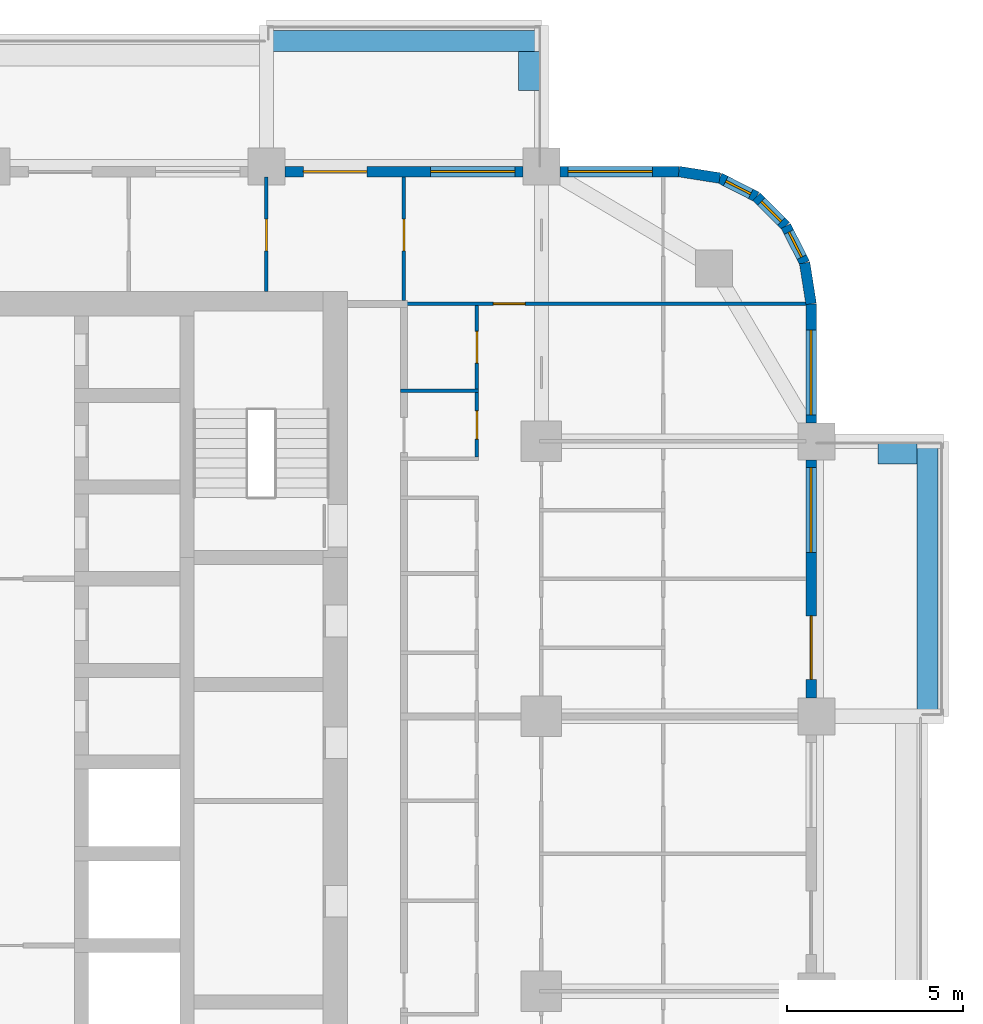
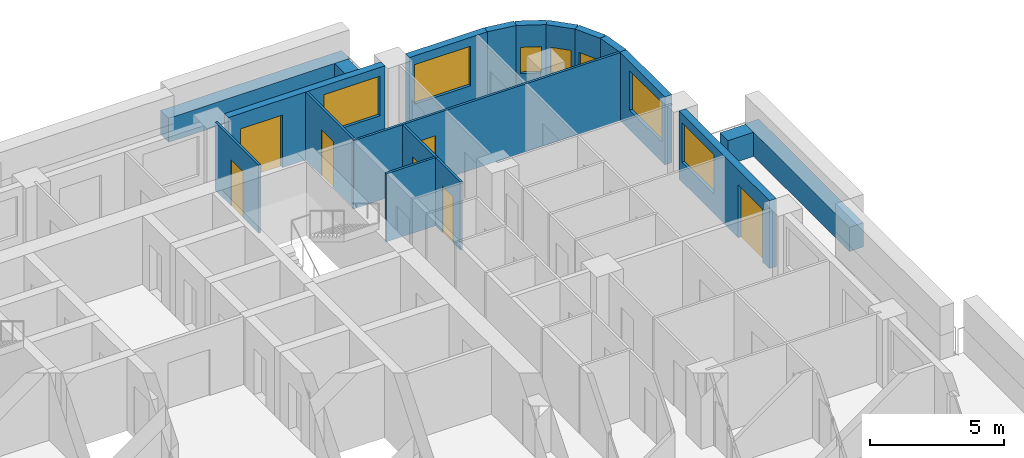
# One storey, part 13 of 17: 18 walls, 7 doors, 7 windows, 14 openings.
"""IFC4 building model written with IfcOpenShell, lengths in metres."""

from ifc_helpers import new_model, si_unit, direction, frame, frame_2d, origin, place, context, subcontext, project, spatial, rectangle, extrude, material, layer, layer_set, type_object, element, fill, save


model = new_model("IFC4")

# Units and contexts
model_context = context("Model", 3, precision=1e-05, world=origin(), true_north=direction((0.0, 1.0)))
body_context = subcontext(model_context, "Body", "Model", "MODEL_VIEW")
ifc_project = project(units=[si_unit("LENGTHUNIT", "METRE"), si_unit("AREAUNIT", "SQUARE_METRE"), si_unit("VOLUMEUNIT", "CUBIC_METRE"), si_unit("PLANEANGLEUNIT", "RADIAN"), si_unit("MASSUNIT", "GRAM", prefix="KILO")], contexts=[model_context])

# Site, building, storey
site_placement = place(None, origin())
site = spatial("IfcSite", under=ifc_project, at=site_placement, CompositionType="ELEMENT")
building_placement = place(site_placement, origin())
building = spatial("IfcBuilding", under=site, at=building_placement, Name="Ludao Terraces", CompositionType="ELEMENT")
storey_placement = place(building_placement, frame((0.0, 0.0, 43.300048828125)))
storey = spatial("IfcBuildingStorey", under=building, at=storey_placement, Name="L11", CompositionType="ELEMENT", Elevation=43.300048828125)

# Walls
ifc_material_1 = material(Name="Concrete C40", Category="concrete")
ifc_layer_1 = layer(ifc_material_1, 0.60009765625)
ifc_layer_set_1 = layer_set([ifc_layer_1], Name="ENV Planter trough 600")
wall_type_1 = type_object("IfcWallType", Name="ENV Planter trough 600", PredefinedType="USERDEFINED", material=ifc_layer_set_1)
wall_1_placement = place(storey_placement, frame((111.550048828125, 72.800048828125, 0.0), z_axis=(0.0, 0.0, 1.0), x_axis=(0.0, 1.0, 0.0)))
element("IfcWall", 1, at=wall_1_placement, inside=storey, type_object=wall_type_1, Name="PL-L11-E4", ObjectType="PLANTER", PredefinedType="USERDEFINED", context=body_context, shape_type="SweptSolid", body=[
    extrude(rectangle(XDim=7.800048828125, YDim=0.60009765625, at=frame_2d((3.89990234375, 0.0))), origin(), (0.0, 0.0, 1.0), 1.099853515625),
])
wall_2_placement = place(storey_placement, frame((111.25, 80.25, 0.0), z_axis=(0.0, 0.0, 1.0), x_axis=(-1.0, 0.0, 0.0)))
element("IfcWall", 2, at=wall_2_placement, inside=storey, type_object=wall_type_1, Name="PL-L11-E4-SB", ObjectType="PLANTER", PredefinedType="USERDEFINED", context=body_context, shape_type="SweptSolid", body=[
    extrude(rectangle(XDim=1.10009765625, YDim=0.60009765625, at=frame_2d((0.550048828125, 0.0))), origin(), (0.0, 0.0, 1.0), 1.099853515625),
])
wall_3_placement = place(storey_placement, frame((92.800048828125, 91.949951171875, 0.0), z_axis=(0.0, 0.0, 1.0), x_axis=(1.0, 0.0, 0.0)))
element("IfcWall", 3, at=wall_3_placement, inside=storey, type_object=wall_type_1, Name="PL-L11-N4", ObjectType="PLANTER", PredefinedType="USERDEFINED", context=body_context, shape_type="SweptSolid", body=[
    extrude(rectangle(XDim=7.800048828125, YDim=0.60009765625, at=frame_2d((3.89990234375, 0.0))), origin(), (0.0, 0.0, 1.0), 1.099853515625),
])
wall_4_placement = place(storey_placement, frame((100.25, 91.64990234375, 0.0), z_axis=(0.0, 0.0, 1.0), x_axis=(0.0, -1.0, 0.0)))
element("IfcWall", 4, at=wall_4_placement, inside=storey, type_object=wall_type_1, Name="PL-L11-N4-SB", ObjectType="PLANTER", PredefinedType="USERDEFINED", context=body_context, shape_type="SweptSolid", body=[
    extrude(rectangle(XDim=1.099853515625, YDim=0.60009765625, at=frame_2d((0.5498046875, 0.0))), origin(), (0.0, 0.0, 1.0), 1.099853515625),
])

# Wall, openings, door, window
ifc_material_2 = material(Name="Granite cladding", Category="masonry")
ifc_layer_2 = layer(ifc_material_2, 0.0400390625, Category="stone")
ifc_material_3 = material(Name="Mineral wool")
ifc_layer_3 = layer(ifc_material_3, 0.06005859375)
ifc_layer_4 = layer(ifc_material_1, 0.199951171875, Category="concrete")
ifc_layer_set_2 = layer_set([ifc_layer_2, ifc_layer_3, ifc_layer_4], Name="ENV Stone-clad wall 300")
wall_type_2 = type_object("IfcWallType", Name="ENV Stone-clad wall 300", PredefinedType="SOLIDWALL", material=ifc_layer_set_2)
wall_5_placement = place(storey_placement, frame((108.25, 73.324951171875, 0.0), z_axis=(0.0, 0.0, 1.0), x_axis=(0.0, 1.0, 0.0)))
wall_5 = element("IfcWall", 5, at=wall_5_placement, inside=storey, type_object=wall_type_2, Name="EW-L11-E5", PredefinedType="SOLIDWALL", context=body_context, shape_type="SweptSolid", body=[
    extrude(rectangle(XDim=6.75, YDim=0.300048828125, at=frame_2d((3.375, 0.0))), origin(), (0.0, 0.0, 1.0), 3.099853515625),
])
opening_1_placement = place(wall_5_placement, frame((0.52490234375, 0.0, 0.0)))
opening_1 = element("IfcOpeningElement", 6, at=opening_1_placement, cuts=wall_5, Name="Opening BD", PredefinedType="OPENING", context=body_context, shape_type="SweptSolid", body=[
    extrude(rectangle(XDim=1.800048828125, YDim=2.39990234375, at=frame_2d((0.89990234375, 1.199951171875))), frame((0.0, 0.16015625, 0.0), z_axis=(0.0, -1.0, 0.0), x_axis=(1.0, 0.0, 0.0)), (0.0, 0.0, 1.0), 0.320068359375),
])
opening_2_placement = place(wall_5_placement, frame((4.125, 0.0, 0.89990234375)))
opening_2 = element("IfcOpeningElement", 7, at=opening_2_placement, cuts=wall_5, Name="Opening W1", PredefinedType="OPENING", context=body_context, shape_type="SweptSolid", body=[
    extrude(rectangle(XDim=2.39990234375, YDim=1.800048828125, at=frame_2d((1.199951171875, 0.89990234375))), frame((0.0, 0.16015625, 0.0), z_axis=(0.0, -1.0, 0.0), x_axis=(1.0, 0.0, 0.0)), (0.0, 0.0, 1.0), 0.320068359375),
])
ifc_material_4 = material(Name="Aluminium glazed door", Category="aluminium")
ifc_layer_5 = layer(ifc_material_4, 0.06005859375)
ifc_layer_set_3 = layer_set([ifc_layer_5], Name="ENV Balcony door BD 1800x2400")
door_type_1 = type_object("IfcDoorType", Name="ENV Balcony door BD 1800x2400", OperationType="DOUBLE_DOOR_SINGLE_SWING", PredefinedType="DOOR", material=ifc_layer_set_3)
door_1_placement = place(opening_1_placement, origin())
door_1 = element("IfcDoor", 8, at=door_1_placement, inside=storey, type_object=door_type_1, Name="BD-L11-E5-1", OperationType="DOUBLE_DOOR_SINGLE_SWING", OverallHeight=2.39990234375, OverallWidth=1.800048828125, PredefinedType="DOOR", context=body_context, shape_type="SweptSolid", body=[
    extrude(rectangle(XDim=1.800048828125, YDim=2.39990234375, at=frame_2d((0.89990234375, 1.199951171875))), frame((0.0, 0.02490234375, 0.0), z_axis=(0.0, -1.0, 0.0), x_axis=(1.0, 0.0, 0.0)), (0.0, 0.0, 1.0), 0.050048828125),
])
fill(opening_1, door_1)
ifc_material_5 = material(Name="Clear glass in aluminium frame", Category="aluminium")
ifc_layer_6 = layer(ifc_material_5, 0.06005859375)
ifc_layer_set_4 = layer_set([ifc_layer_6], Name="ENV Window W1 2400x1800")
window_type_1 = type_object("IfcWindowType", Name="ENV Window W1 2400x1800", PartitioningType="DOUBLE_PANEL_VERTICAL", PredefinedType="WINDOW", material=ifc_layer_set_4)
window_1_placement = place(opening_2_placement, origin())
window_1 = element("IfcWindow", 9, at=window_1_placement, inside=storey, type_object=window_type_1, Name="W-L11-E5-2", OverallHeight=1.800048828125, OverallWidth=2.39990234375, PartitioningType="DOUBLE_PANEL_VERTICAL", PredefinedType="WINDOW", context=body_context, shape_type="SweptSolid", body=[
    extrude(rectangle(XDim=2.39990234375, YDim=1.800048828125, at=frame_2d((1.199951171875, 0.89990234375))), frame((0.0, 0.030029296875, 0.0), z_axis=(0.0, -1.0, 0.0), x_axis=(1.0, 0.0, 0.0)), (0.0, 0.0, 1.0), 0.06005859375),
])
fill(opening_2, window_1)

# Wall, opening, window
wall_6_placement = place(storey_placement, frame((108.25, 81.125, 0.0), z_axis=(0.0, 0.0, 1.0), x_axis=(0.0, 1.0, 0.0)))
wall_6 = element("IfcWall", 10, at=wall_6_placement, inside=storey, type_object=wall_type_2, Name="EW-L11-E6", PredefinedType="SOLIDWALL", context=body_context, shape_type="SweptSolid", body=[
    extrude(rectangle(XDim=3.375, YDim=0.300048828125, at=frame_2d((1.6875, 0.0))), origin(), (0.0, 0.0, 1.0), 3.099853515625),
])
opening_3_placement = place(wall_6_placement, frame((0.22509765625, 0.0, 0.89990234375)))
opening_3 = element("IfcOpeningElement", 11, at=opening_3_placement, cuts=wall_6, Name="Opening W1", PredefinedType="OPENING", context=body_context, shape_type="SweptSolid", body=[
    extrude(rectangle(XDim=2.39990234375, YDim=1.800048828125, at=frame_2d((1.199951171875, 0.89990234375))), frame((0.0, 0.16015625, 0.0), z_axis=(0.0, -1.0, 0.0), x_axis=(1.0, 0.0, 0.0)), (0.0, 0.0, 1.0), 0.320068359375),
])
window_2_placement = place(opening_3_placement, origin())
window_2 = element("IfcWindow", 12, at=window_2_placement, inside=storey, type_object=window_type_1, Name="W-L11-E6-1", OverallHeight=1.800048828125, OverallWidth=2.39990234375, PartitioningType="DOUBLE_PANEL_VERTICAL", PredefinedType="WINDOW", context=body_context, shape_type="SweptSolid", body=[
    extrude(rectangle(XDim=2.39990234375, YDim=1.800048828125, at=frame_2d((1.199951171875, 0.89990234375))), frame((0.0, 0.030029296875, 0.0), z_axis=(0.0, -1.0, 0.0), x_axis=(1.0, 0.0, 0.0)), (0.0, 0.0, 1.0), 0.06005859375),
])
fill(opening_3, window_2)

# Wall, openings, door, window
wall_7_placement = place(storey_placement, frame((93.324951171875, 88.25, 0.0), z_axis=(0.0, 0.0, 1.0), x_axis=(1.0, 0.0, 0.0)))
wall_7 = element("IfcWall", 13, at=wall_7_placement, inside=storey, type_object=wall_type_2, Name="EW-L11-N5", PredefinedType="SOLIDWALL", context=body_context, shape_type="SweptSolid", body=[
    extrude(rectangle(XDim=6.75, YDim=0.300048828125, at=frame_2d((3.375, 0.0))), origin(), (0.0, 0.0, 1.0), 3.099853515625),
])
opening_4_placement = place(wall_7_placement, frame((0.52490234375, 0.0, 0.0)))
opening_4 = element("IfcOpeningElement", 14, at=opening_4_placement, cuts=wall_7, Name="Opening BD", PredefinedType="OPENING", context=body_context, shape_type="SweptSolid", body=[
    extrude(rectangle(XDim=1.800048828125, YDim=2.39990234375, at=frame_2d((0.89990234375, 1.199951171875))), frame((0.0, 0.16015625, 0.0), z_axis=(0.0, -1.0, 0.0), x_axis=(1.0, 0.0, 0.0)), (0.0, 0.0, 1.0), 0.320068359375),
])
opening_5_placement = place(wall_7_placement, frame((4.125, 0.0, 0.89990234375)))
opening_5 = element("IfcOpeningElement", 15, at=opening_5_placement, cuts=wall_7, Name="Opening W1", PredefinedType="OPENING", context=body_context, shape_type="SweptSolid", body=[
    extrude(rectangle(XDim=2.39990234375, YDim=1.800048828125, at=frame_2d((1.199951171875, 0.89990234375))), frame((0.0, 0.16015625, 0.0), z_axis=(0.0, -1.0, 0.0), x_axis=(1.0, 0.0, 0.0)), (0.0, 0.0, 1.0), 0.320068359375),
])
door_2_placement = place(opening_4_placement, origin())
door_2 = element("IfcDoor", 16, at=door_2_placement, inside=storey, type_object=door_type_1, Name="BD-L11-N5-1", OperationType="DOUBLE_DOOR_SINGLE_SWING", OverallHeight=2.39990234375, OverallWidth=1.800048828125, PredefinedType="DOOR", context=body_context, shape_type="SweptSolid", body=[
    extrude(rectangle(XDim=1.800048828125, YDim=2.39990234375, at=frame_2d((0.89990234375, 1.199951171875))), frame((0.0, 0.02490234375, 0.0), z_axis=(0.0, -1.0, 0.0), x_axis=(1.0, 0.0, 0.0)), (0.0, 0.0, 1.0), 0.050048828125),
])
fill(opening_4, door_2)
window_3_placement = place(opening_5_placement, origin())
window_3 = element("IfcWindow", 17, at=window_3_placement, inside=storey, type_object=window_type_1, Name="W-L11-N5-2", OverallHeight=1.800048828125, OverallWidth=2.39990234375, PartitioningType="DOUBLE_PANEL_VERTICAL", PredefinedType="WINDOW", context=body_context, shape_type="SweptSolid", body=[
    extrude(rectangle(XDim=2.39990234375, YDim=1.800048828125, at=frame_2d((1.199951171875, 0.89990234375))), frame((0.0, 0.030029296875, 0.0), z_axis=(0.0, -1.0, 0.0), x_axis=(1.0, 0.0, 0.0)), (0.0, 0.0, 1.0), 0.06005859375),
])
fill(opening_5, window_3)

# Wall, opening, window
wall_8_placement = place(storey_placement, frame((101.125, 88.25, 0.0), z_axis=(0.0, 0.0, 1.0), x_axis=(1.0, 0.0, 0.0)))
wall_8 = element("IfcWall", 18, at=wall_8_placement, inside=storey, type_object=wall_type_2, Name="EW-L11-N6", PredefinedType="SOLIDWALL", context=body_context, shape_type="SweptSolid", body=[
    extrude(rectangle(XDim=3.375, YDim=0.300048828125, at=frame_2d((1.6875, 0.0))), origin(), (0.0, 0.0, 1.0), 3.099853515625),
])
opening_6_placement = place(wall_8_placement, frame((0.22509765625, 0.0, 0.89990234375)))
opening_6 = element("IfcOpeningElement", 19, at=opening_6_placement, cuts=wall_8, Name="Opening W1", PredefinedType="OPENING", context=body_context, shape_type="SweptSolid", body=[
    extrude(rectangle(XDim=2.39990234375, YDim=1.800048828125, at=frame_2d((1.199951171875, 0.89990234375))), frame((0.0, 0.16015625, 0.0), z_axis=(0.0, -1.0, 0.0), x_axis=(1.0, 0.0, 0.0)), (0.0, 0.0, 1.0), 0.320068359375),
])
window_4_placement = place(opening_6_placement, origin())
window_4 = element("IfcWindow", 20, at=window_4_placement, inside=storey, type_object=window_type_1, Name="W-L11-N6-1", OverallHeight=1.800048828125, OverallWidth=2.39990234375, PartitioningType="DOUBLE_PANEL_VERTICAL", PredefinedType="WINDOW", context=body_context, shape_type="SweptSolid", body=[
    extrude(rectangle(XDim=2.39990234375, YDim=1.800048828125, at=frame_2d((1.199951171875, 0.89990234375))), frame((0.0, 0.030029296875, 0.0), z_axis=(0.0, -1.0, 0.0), x_axis=(1.0, 0.0, 0.0)), (0.0, 0.0, 1.0), 0.06005859375),
])
fill(opening_6, window_4)

# Wall
wall_9_placement = place(storey_placement, frame((108.25, 84.5, 0.0), z_axis=(0.0, 0.0, 1.0), x_axis=(-0.156496880861, 0.987678452879, 0.0)))
element("IfcWall", 21, at=wall_9_placement, inside=storey, type_object=wall_type_2, Name="EW-L11-NE1", PredefinedType="SOLIDWALL", context=body_context, shape_type="SweptSolid", body=[
    extrude(rectangle(XDim=1.173095703125, YDim=0.300048828125, at=frame_2d((0.58642578125, 0.0))), origin(), (0.0, 0.0, 1.0), 3.099853515625),
])

# Wall, opening, window
wall_10_placement = place(storey_placement, frame((108.06640625, 85.65869140625, 0.0), z_axis=(0.0, 0.0, 1.0), x_axis=(-0.454025524128, 0.890988677504, 0.0)))
wall_10 = element("IfcWall", 22, at=wall_10_placement, inside=storey, type_object=wall_type_2, Name="EW-L11-NE2", PredefinedType="SOLIDWALL", context=body_context, shape_type="SweptSolid", body=[
    extrude(rectangle(XDim=1.17333984375, YDim=0.300048828125, at=frame_2d((0.586669921875, 0.0))), origin(), (0.0, 0.0, 1.0), 3.099853515625),
])
opening_7_placement = place(wall_10_placement, frame((0.1865234375, 0.0, 0.89990234375)))
opening_7 = element("IfcOpeningElement", 23, at=opening_7_placement, cuts=wall_10, Name="Opening W3", PredefinedType="OPENING", context=body_context, shape_type="SweptSolid", body=[
    extrude(rectangle(XDim=0.800048828125, YDim=1.199951171875, at=frame_2d((0.39990234375, 0.60009765625))), frame((0.0, 0.16015625, 0.0), z_axis=(0.0, -1.0, 0.0), x_axis=(1.0, 0.0, 0.0)), (0.0, 0.0, 1.0), 0.320068359375),
])
ifc_layer_7 = layer(ifc_material_5, 0.06005859375)
ifc_layer_set_5 = layer_set([ifc_layer_7], Name="ENV Window W3 800x1200")
window_type_2 = type_object("IfcWindowType", Name="ENV Window W3 800x1200", PartitioningType="SINGLE_PANEL", PredefinedType="WINDOW", material=ifc_layer_set_5)
window_5_placement = place(opening_7_placement, origin())
window_5 = element("IfcWindow", 24, at=window_5_placement, inside=storey, type_object=window_type_2, Name="W-L11-NE2", OverallHeight=1.199951171875, OverallWidth=0.800048828125, PartitioningType="SINGLE_PANEL", PredefinedType="WINDOW", context=body_context, shape_type="SweptSolid", body=[
    extrude(rectangle(XDim=0.800048828125, YDim=1.199951171875, at=frame_2d((0.39990234375, 0.60009765625))), frame((0.0, 0.030029296875, 0.0), z_axis=(0.0, -1.0, 0.0), x_axis=(1.0, 0.0, 0.0)), (0.0, 0.0, 1.0), 0.06005859375),
])
fill(opening_7, window_5)

wall_11_placement = place(storey_placement, frame((107.53369140625, 86.7041015625, 0.0), z_axis=(0.0, 0.0, 1.0), x_axis=(-0.707106781187, 0.707106781187, 0.0)))
wall_11 = element("IfcWall", 25, at=wall_11_placement, inside=storey, type_object=wall_type_2, Name="EW-L11-NE3", PredefinedType="SOLIDWALL", context=body_context, shape_type="SweptSolid", body=[
    extrude(rectangle(XDim=1.173095703125, YDim=0.300048828125, at=frame_2d((0.58642578125, 0.0))), origin(), (0.0, 0.0, 1.0), 3.099853515625),
])
opening_8_placement = place(wall_11_placement, frame((0.1865234375, 0.0, 0.89990234375)))
opening_8 = element("IfcOpeningElement", 26, at=opening_8_placement, cuts=wall_11, Name="Opening W3", PredefinedType="OPENING", context=body_context, shape_type="SweptSolid", body=[
    extrude(rectangle(XDim=0.800048828125, YDim=1.199951171875, at=frame_2d((0.39990234375, 0.60009765625))), frame((0.0, 0.16015625, 0.0), z_axis=(0.0, -1.0, 0.0), x_axis=(1.0, 0.0, 0.0)), (0.0, 0.0, 1.0), 0.320068359375),
])
window_6_placement = place(opening_8_placement, origin())
window_6 = element("IfcWindow", 27, at=window_6_placement, inside=storey, type_object=window_type_2, Name="W-L11-NE3", OverallHeight=1.199951171875, OverallWidth=0.800048828125, PartitioningType="SINGLE_PANEL", PredefinedType="WINDOW", context=body_context, shape_type="SweptSolid", body=[
    extrude(rectangle(XDim=0.800048828125, YDim=1.199951171875, at=frame_2d((0.39990234375, 0.60009765625))), frame((0.0, 0.030029296875, 0.0), z_axis=(0.0, -1.0, 0.0), x_axis=(1.0, 0.0, 0.0)), (0.0, 0.0, 1.0), 0.06005859375),
])
fill(opening_8, window_6)

wall_12_placement = place(storey_placement, frame((106.7041015625, 87.53369140625, 0.0), z_axis=(0.0, 0.0, 1.0), x_axis=(-0.890988677504, 0.454025524128, 0.0)))
wall_12 = element("IfcWall", 28, at=wall_12_placement, inside=storey, type_object=wall_type_2, Name="EW-L11-NE4", PredefinedType="SOLIDWALL", context=body_context, shape_type="SweptSolid", body=[
    extrude(rectangle(XDim=1.17333984375, YDim=0.300048828125, at=frame_2d((0.586669921875, 0.0))), origin(), (0.0, 0.0, 1.0), 3.099853515625),
])
opening_9_placement = place(wall_12_placement, frame((0.1865234375, 0.0, 0.89990234375)))
opening_9 = element("IfcOpeningElement", 29, at=opening_9_placement, cuts=wall_12, Name="Opening W3", PredefinedType="OPENING", context=body_context, shape_type="SweptSolid", body=[
    extrude(rectangle(XDim=0.800048828125, YDim=1.199951171875, at=frame_2d((0.39990234375, 0.60009765625))), frame((0.0, 0.16015625, 0.0), z_axis=(0.0, -1.0, 0.0), x_axis=(1.0, 0.0, 0.0)), (0.0, 0.0, 1.0), 0.320068359375),
])
window_7_placement = place(opening_9_placement, origin())
window_7 = element("IfcWindow", 30, at=window_7_placement, inside=storey, type_object=window_type_2, Name="W-L11-NE4", OverallHeight=1.199951171875, OverallWidth=0.800048828125, PartitioningType="SINGLE_PANEL", PredefinedType="WINDOW", context=body_context, shape_type="SweptSolid", body=[
    extrude(rectangle(XDim=0.800048828125, YDim=1.199951171875, at=frame_2d((0.39990234375, 0.60009765625))), frame((0.0, 0.030029296875, 0.0), z_axis=(0.0, -1.0, 0.0), x_axis=(1.0, 0.0, 0.0)), (0.0, 0.0, 1.0), 0.06005859375),
])
fill(opening_9, window_7)

# Walls
wall_13_placement = place(storey_placement, frame((105.65869140625, 88.06640625, 0.0), z_axis=(0.0, 0.0, 1.0), x_axis=(-0.987678452879, 0.156496880861, 0.0)))
element("IfcWall", 31, at=wall_13_placement, inside=storey, type_object=wall_type_2, Name="EW-L11-NE5", PredefinedType="SOLIDWALL", context=body_context, shape_type="SweptSolid", body=[
    extrude(rectangle(XDim=1.173095703125, YDim=0.300048828125, at=frame_2d((0.58642578125, 0.0))), origin(), (0.0, 0.0, 1.0), 3.099853515625),
])
ifc_material_6 = material(Name="Gypsum plasterboard", Category="gypsum")
ifc_layer_8 = layer(ifc_material_6, 0.012451171875, Category="gypsum")
ifc_layer_9 = layer(ifc_material_3, 0.06005859375, Name="insulation")
ifc_material_7 = material(Name="Steel Q235", Category="steel")
ifc_layer_10 = layer(ifc_material_7, 0.014892578125, Name="stud")
ifc_layer_11 = layer(ifc_material_6, 0.012451171875, Category="gypsum")
ifc_layer_set_6 = layer_set([ifc_layer_8, ifc_layer_9, ifc_layer_10, ifc_layer_11], Name="INT Partition 100")
wall_type_3 = type_object("IfcWallType", Name="INT Partition 100", PredefinedType="PARTITIONING", material=ifc_layer_set_6)
wall_14_placement = place(storey_placement, frame((96.60009765625, 82.030029296875, 0.0), z_axis=(0.0, 0.0, 1.0), x_axis=(1.0, 0.0, 0.0)))
element("IfcWall", 32, at=wall_14_placement, inside=storey, type_object=wall_type_3, Name="PW-L11-PW072", PredefinedType="PARTITIONING", context=body_context, shape_type="SweptSolid", body=[
    extrude(rectangle(XDim=2.219970703125, YDim=0.10009765625, at=frame_2d((1.10986328125, 0.0))), origin(), (0.0, 0.0, 1.0), 3.099853515625),
])

# Wall, opening, door
wall_15_placement = place(storey_placement, frame((96.60009765625, 84.5, 0.0), z_axis=(0.0, 0.0, 1.0), x_axis=(1.0, 0.0, 0.0)))
wall_15 = element("IfcWall", 33, at=wall_15_placement, inside=storey, type_object=wall_type_3, Name="PW-L11-PW078", PredefinedType="PARTITIONING", context=body_context, shape_type="SweptSolid", body=[
    extrude(rectangle(XDim=11.5, YDim=0.10009765625, at=frame_2d((5.75, 0.0))), origin(), (0.0, 0.0, 1.0), 3.099853515625),
])
opening_10_placement = place(wall_15_placement, frame((2.635009765625, 0.0, 0.0)))
opening_10 = element("IfcOpeningElement", 34, at=opening_10_placement, cuts=wall_15, Name="Opening R03-154", PredefinedType="OPENING", context=body_context, shape_type="SweptSolid", body=[
    extrude(rectangle(XDim=0.89990234375, YDim=2.10009765625, at=frame_2d((0.449951171875, 1.050048828125))), frame((0.0, 0.06005859375, 0.0), z_axis=(0.0, -1.0, 0.0), x_axis=(1.0, 0.0, 0.0)), (0.0, 0.0, 1.0), 0.1201171875),
])
ifc_material_8 = material(Name="Timber door leaf", Category="wood")
door_type_2 = type_object("IfcDoorType", Name="INT Room door 900", OperationType="SINGLE_SWING_LEFT", PredefinedType="DOOR", material=ifc_material_8)
door_3_placement = place(opening_10_placement, origin())
door_3 = element("IfcDoor", 35, at=door_3_placement, inside=storey, type_object=door_type_2, Name="DOOR 154", OperationType="SINGLE_SWING_LEFT", OverallHeight=2.10009765625, OverallWidth=0.89990234375, PredefinedType="DOOR", context=body_context, shape_type="SweptSolid", body=[
    extrude(rectangle(XDim=0.89990234375, YDim=2.10009765625, at=frame_2d((0.449951171875, 1.050048828125))), frame((0.0, 0.02490234375, 0.0), z_axis=(0.0, -1.0, 0.0), x_axis=(1.0, 0.0, 0.0)), (0.0, 0.0, 1.0), 0.050048828125),
])
fill(opening_10, door_3)

wall_16_placement = place(storey_placement, frame((92.800048828125, 84.85009765625, 0.0), z_axis=(0.0, 0.0, 1.0), x_axis=(0.0, 1.0, 0.0)))
wall_16 = element("IfcWall", 36, at=wall_16_placement, inside=storey, type_object=wall_type_3, Name="PW-L11-PW113", PredefinedType="PARTITIONING", context=body_context, shape_type="SweptSolid", body=[
    extrude(rectangle(XDim=3.25, YDim=0.10009765625, at=frame_2d((1.625, 0.0))), origin(), (0.0, 0.0, 1.0), 3.099853515625),
])
opening_11_placement = place(wall_16_placement, frame((1.14990234375, 0.0, 0.0)))
opening_11 = element("IfcOpeningElement", 37, at=opening_11_placement, cuts=wall_16, Name="Opening R03-161", PredefinedType="OPENING", context=body_context, shape_type="SweptSolid", body=[
    extrude(rectangle(XDim=0.89990234375, YDim=2.10009765625, at=frame_2d((0.449951171875, 1.050048828125))), frame((0.0, 0.06005859375, 0.0), z_axis=(0.0, -1.0, 0.0), x_axis=(1.0, 0.0, 0.0)), (0.0, 0.0, 1.0), 0.1201171875),
])
door_4_placement = place(opening_11_placement, origin())
door_4 = element("IfcDoor", 38, at=door_4_placement, inside=storey, type_object=door_type_2, Name="DOOR 161", OperationType="SINGLE_SWING_LEFT", OverallHeight=2.10009765625, OverallWidth=0.89990234375, PredefinedType="DOOR", context=body_context, shape_type="SweptSolid", body=[
    extrude(rectangle(XDim=0.89990234375, YDim=2.10009765625, at=frame_2d((0.449951171875, 1.050048828125))), frame((0.0, 0.02490234375, 0.0), z_axis=(0.0, -1.0, 0.0), x_axis=(1.0, 0.0, 0.0)), (0.0, 0.0, 1.0), 0.050048828125),
])
fill(opening_11, door_4)

wall_17_placement = place(storey_placement, frame((96.699951171875, 84.60009765625, 0.0), z_axis=(0.0, 0.0, 1.0), x_axis=(0.0, 1.0, 0.0)))
wall_17 = element("IfcWall", 39, at=wall_17_placement, inside=storey, type_object=wall_type_3, Name="PW-L11-PW118", PredefinedType="PARTITIONING", context=body_context, shape_type="SweptSolid", body=[
    extrude(rectangle(XDim=3.5, YDim=0.10009765625, at=frame_2d((1.75, 0.0))), origin(), (0.0, 0.0, 1.0), 3.099853515625),
])
opening_12_placement = place(wall_17_placement, frame((1.39990234375, 0.0, 0.0)))
opening_12 = element("IfcOpeningElement", 40, at=opening_12_placement, cuts=wall_17, Name="Opening R03-162", PredefinedType="OPENING", context=body_context, shape_type="SweptSolid", body=[
    extrude(rectangle(XDim=0.89990234375, YDim=2.10009765625, at=frame_2d((0.449951171875, 1.050048828125))), frame((0.0, 0.06005859375, 0.0), z_axis=(0.0, -1.0, 0.0), x_axis=(1.0, 0.0, 0.0)), (0.0, 0.0, 1.0), 0.1201171875),
])
door_5_placement = place(opening_12_placement, origin())
door_5 = element("IfcDoor", 41, at=door_5_placement, inside=storey, type_object=door_type_2, Name="DOOR 162", OperationType="SINGLE_SWING_RIGHT", OverallHeight=2.10009765625, OverallWidth=0.89990234375, PredefinedType="DOOR", context=body_context, shape_type="SweptSolid", body=[
    extrude(rectangle(XDim=0.89990234375, YDim=2.10009765625, at=frame_2d((0.449951171875, 1.050048828125))), frame((0.0, 0.02490234375, 0.0), z_axis=(0.0, -1.0, 0.0), x_axis=(1.0, 0.0, 0.0)), (0.0, 0.0, 1.0), 0.050048828125),
])
fill(opening_12, door_5)

# Wall, openings, doors
wall_18_placement = place(storey_placement, frame((98.77001953125, 80.150146484375, 0.0), z_axis=(0.0, 0.0, 1.0), x_axis=(0.0, 1.0, 0.0)))
wall_18 = element("IfcWall", 42, at=wall_18_placement, inside=storey, type_object=wall_type_3, Name="PW-L11-PW122", PredefinedType="PARTITIONING", context=body_context, shape_type="SweptSolid", body=[
    extrude(rectangle(XDim=4.300048828125, YDim=0.10009765625, at=frame_2d((2.14990234375, 0.0))), origin(), (0.0, 0.0, 1.0), 3.099853515625),
])
opening_13_placement = place(wall_18_placement, frame((0.514892578125, 0.0, 0.0)))
opening_13 = element("IfcOpeningElement", 43, at=opening_13_placement, cuts=wall_18, Name="Opening R03-143", PredefinedType="OPENING", context=body_context, shape_type="SweptSolid", body=[
    extrude(rectangle(XDim=0.800048828125, YDim=2.10009765625, at=frame_2d((0.39990234375, 1.050048828125))), frame((0.0, 0.06005859375, 0.0), z_axis=(0.0, -1.0, 0.0), x_axis=(1.0, 0.0, 0.0)), (0.0, 0.0, 1.0), 0.1201171875),
])
opening_14_placement = place(wall_18_placement, frame((2.6650390625, 0.0, 0.0)))
opening_14 = element("IfcOpeningElement", 44, at=opening_14_placement, cuts=wall_18, Name="Opening R03-151", PredefinedType="OPENING", context=body_context, shape_type="SweptSolid", body=[
    extrude(rectangle(XDim=0.89990234375, YDim=2.10009765625, at=frame_2d((0.449951171875, 1.050048828125))), frame((0.0, 0.06005859375, 0.0), z_axis=(0.0, -1.0, 0.0), x_axis=(1.0, 0.0, 0.0)), (0.0, 0.0, 1.0), 0.1201171875),
])
door_6_placement = place(opening_14_placement, origin())
door_6 = element("IfcDoor", 45, at=door_6_placement, inside=storey, type_object=door_type_2, Name="DOOR 151", OperationType="SINGLE_SWING_LEFT", OverallHeight=2.10009765625, OverallWidth=0.89990234375, PredefinedType="DOOR", context=body_context, shape_type="SweptSolid", body=[
    extrude(rectangle(XDim=0.89990234375, YDim=2.10009765625, at=frame_2d((0.449951171875, 1.050048828125))), frame((0.0, 0.02490234375, 0.0), z_axis=(0.0, -1.0, 0.0), x_axis=(1.0, 0.0, 0.0)), (0.0, 0.0, 1.0), 0.050048828125),
])
fill(opening_14, door_6)
door_type_3 = type_object("IfcDoorType", Name="INT Store door 800", OperationType="SINGLE_SWING_LEFT", PredefinedType="DOOR", material=ifc_material_8)
door_7_placement = place(opening_13_placement, origin())
door_7 = element("IfcDoor", 46, at=door_7_placement, inside=storey, type_object=door_type_3, Name="DOOR 143", OperationType="SINGLE_SWING_LEFT", OverallHeight=2.10009765625, OverallWidth=0.800048828125, PredefinedType="DOOR", context=body_context, shape_type="SweptSolid", body=[
    extrude(rectangle(XDim=0.800048828125, YDim=2.10009765625, at=frame_2d((0.39990234375, 1.050048828125))), frame((0.0, 0.02490234375, 0.0), z_axis=(0.0, -1.0, 0.0), x_axis=(1.0, 0.0, 0.0)), (0.0, 0.0, 1.0), 0.050048828125),
])
fill(opening_13, door_7)

save(model, "model.ifc")
